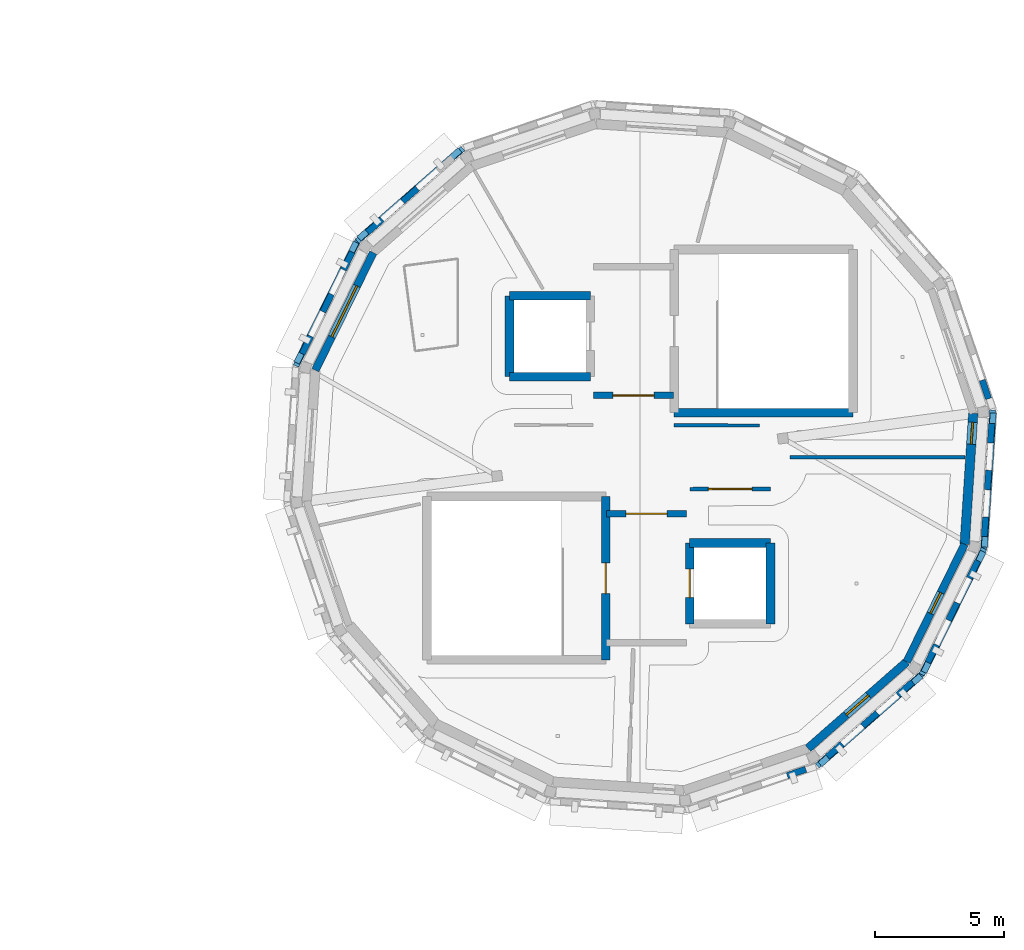
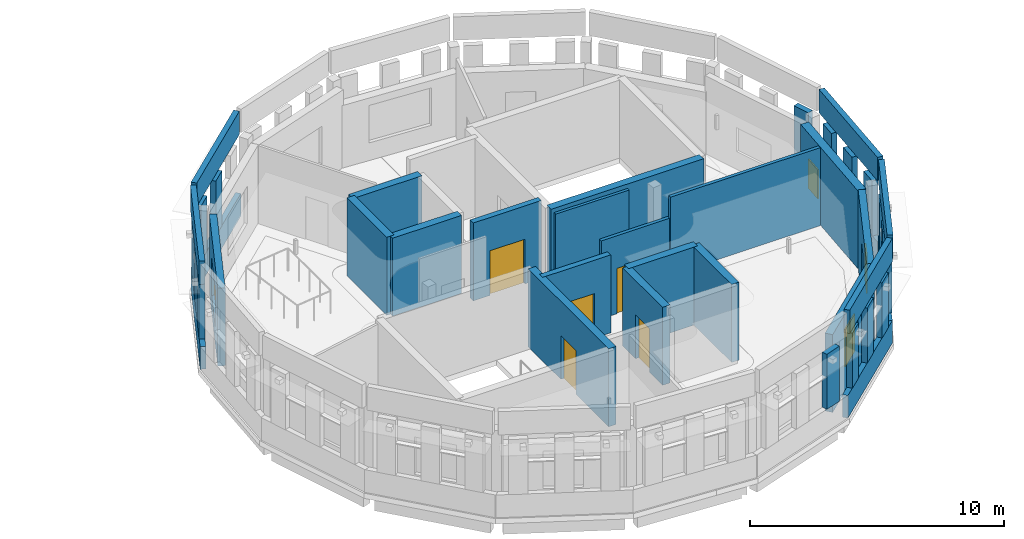
# One storey, part 14 of 18: 43 walls, 5 doors, 4 windows, 9 openings.
"""IFC4 building model written with IfcOpenShell, lengths in metres."""

from ifc_helpers import new_model, si_unit, direction, frame, frame_2d, origin, place, context, subcontext, project, spatial, rectangle, extrude, material, layer, layer_set, type_object, element, fill, save


model = new_model("IFC4")

# Units and contexts
model_context = context("Model", 3, precision=1e-05, world=origin(), true_north=direction((0.0, 1.0)))
body_context = subcontext(model_context, "Body", "Model", "MODEL_VIEW")
ifc_project = project(units=[si_unit("LENGTHUNIT", "METRE"), si_unit("AREAUNIT", "SQUARE_METRE"), si_unit("VOLUMEUNIT", "CUBIC_METRE"), si_unit("PLANEANGLEUNIT", "RADIAN"), si_unit("MASSUNIT", "GRAM", prefix="KILO")], contexts=[model_context])

# Site, building, storey
site_placement = place(None, origin())
site = spatial("IfcSite", under=ifc_project, at=site_placement, CompositionType="ELEMENT")
building_placement = place(site_placement, origin())
building = spatial("IfcBuilding", under=site, at=building_placement, Name="Wrenclough Park School", CompositionType="ELEMENT")
storey_placement = place(building_placement, frame((0.0, 0.0, 20.800048828125)))
storey = spatial("IfcBuildingStorey", under=building, at=storey_placement, Name="L05", CompositionType="ELEMENT", Elevation=20.800048828125)

# Walls
ifc_material_1 = material(Name="Perforated open-bond Staffordshire and Manchester brick screen pier", Category="masonry")
ifc_layer_1 = layer(ifc_material_1, 0.2451171875)
ifc_layer_set_1 = layer_set([ifc_layer_1], Name="Perforated open-bond Staffordshire and Manchester brick screen pier")
wall_type_1 = type_object("IfcWallType", Name="ENV-BS-PR245", PredefinedType="ELEMENTEDWALL", material=ifc_layer_set_1)
wall_1_placement = place(storey_placement, frame((188.039306640625, 95.771728515625, 1.08984375), z_axis=(0.0, 0.0, 1.0), x_axis=(-0.321522655386, 0.946901886192, 0.0)))
element("IfcWall", 1, at=wall_1_placement, inside=storey, type_object=wall_type_1, Name="D5 L05 perforated brick screen pier 1005", PredefinedType="ELEMENTEDWALL", context=body_context, shape_type="SweptSolid", body=[
    extrude(rectangle(XDim=0.760009765625, YDim=0.2451171875, at=frame_2d((0.3798828125, 0.0))), origin(), (0.0, 0.0, 1.0), 2.650146484375),
])
wall_2_placement = place(storey_placement, frame((165.850830078125, 103.938720703125, 1.08984375), z_axis=(0.0, 0.0, 1.0), x_axis=(-0.751859704857, -0.659323125798, 0.0)))
element("IfcWall", 2, at=wall_2_placement, inside=storey, type_object=wall_type_1, Name="D5 L05 perforated brick screen pier 1021", PredefinedType="ELEMENTEDWALL", context=body_context, shape_type="SweptSolid", body=[
    extrude(rectangle(XDim=0.759765625, YDim=0.2451171875, at=frame_2d((0.3798828125, 0.0))), origin(), (0.0, 0.0, 1.0), 2.650146484375),
])
wall_3_placement = place(storey_placement, frame((164.48193359375, 102.73828125, 1.08984375), z_axis=(0.0, 0.0, 1.0), x_axis=(-0.751700438565, -0.659504701015, 0.0)))
element("IfcWall", 3, at=wall_3_placement, inside=storey, type_object=wall_type_1, Name="D5 L05 perforated brick screen pier 1022", PredefinedType="ELEMENTEDWALL", context=body_context, shape_type="SweptSolid", body=[
    extrude(rectangle(XDim=0.760009765625, YDim=0.2451171875, at=frame_2d((0.3798828125, 0.0))), origin(), (0.0, 0.0, 1.0), 2.650146484375),
])
wall_4_placement = place(storey_placement, frame((163.31982421875, 101.46728515625, 1.08984375), z_axis=(0.0, 0.0, 1.0), x_axis=(-0.442451801258, -0.896792285629, 0.0)))
element("IfcWall", 4, at=wall_4_placement, inside=storey, type_object=wall_type_1, Name="D5 L05 perforated brick screen pier 1023", PredefinedType="ELEMENTEDWALL", context=body_context, shape_type="SweptSolid", body=[
    extrude(rectangle(XDim=0.759765625, YDim=0.2451171875, at=frame_2d((0.3798828125, 0.0))), origin(), (0.0, 0.0, 1.0), 2.650146484375),
])
for number, where, z_axis, x_axis, name in (
    (5, (162.514404296875, 99.834228515625, 1.08984375), (0.0, 0.0, 1.0), (-0.442065908805, -0.896982570774, 0.0), "D5 L05 perforated brick screen pier 1024"),
    (6, (161.709228515625, 98.201171875, 1.08984375), (0.0, 0.0, 1.0), (-0.442324339485, -0.896855160379, 0.0), "D5 L05 perforated brick screen pier 1025"),
):
    element("IfcWall", number, at=place(storey_placement, frame(where, z_axis=z_axis, x_axis=x_axis)), inside=storey, type_object=wall_type_1, Name=name, PredefinedType="ELEMENTEDWALL", context=body_context, shape_type="SweptSolid", body=[
        extrude(rectangle(XDim=0.760009765625, YDim=0.2451171875, at=frame_2d((0.3798828125, 0.0))), origin(), (0.0, 0.0, 1.0), 2.650146484375),
    ])
wall_5_placement = place(storey_placement, frame((180.22021484375, 81.131103515625, 1.08984375), z_axis=(0.0, 0.0, 1.0), x_axis=(0.946868666253, 0.321620473335, 0.0)))
element("IfcWall", 7, at=wall_5_placement, inside=storey, type_object=wall_type_1, Name="D5 L05 perforated brick screen pier 1043", PredefinedType="ELEMENTEDWALL", context=body_context, shape_type="SweptSolid", body=[
    extrude(rectangle(XDim=0.759765625, YDim=0.2451171875, at=frame_2d((0.3798828125, 0.0))), origin(), (0.0, 0.0, 1.0), 2.650146484375),
])
wall_6_placement = place(storey_placement, frame((181.780029296875, 81.860595703125, 1.08984375), z_axis=(0.0, 0.0, 1.0), x_axis=(0.751840109951, 0.659345470196, 0.0)))
element("IfcWall", 8, at=wall_6_placement, inside=storey, type_object=wall_type_1, Name="D5 L05 perforated brick screen pier 1044", PredefinedType="ELEMENTEDWALL", context=body_context, shape_type="SweptSolid", body=[
    extrude(rectangle(XDim=0.76025390625, YDim=0.2451171875, at=frame_2d((0.380126953125, 0.0))), origin(), (0.0, 0.0, 1.0), 2.650146484375),
])
wall_7_placement = place(storey_placement, frame((183.149169921875, 83.061279296875, 1.08984375), z_axis=(0.0, 0.0, 1.0), x_axis=(0.751859704857, 0.659323125798, 0.0)))
element("IfcWall", 9, at=wall_7_placement, inside=storey, type_object=wall_type_1, Name="D5 L05 perforated brick screen pier 1045", PredefinedType="ELEMENTEDWALL", context=body_context, shape_type="SweptSolid", body=[
    extrude(rectangle(XDim=0.759765625, YDim=0.2451171875, at=frame_2d((0.3798828125, 0.0))), origin(), (0.0, 0.0, 1.0), 2.650146484375),
])
wall_8_placement = place(storey_placement, frame((184.51806640625, 84.26171875, 1.08984375), z_axis=(0.0, 0.0, 1.0), x_axis=(0.751700438565, 0.659504701015, 0.0)))
element("IfcWall", 10, at=wall_8_placement, inside=storey, type_object=wall_type_1, Name="D5 L05 perforated brick screen pier 1046", PredefinedType="ELEMENTEDWALL", context=body_context, shape_type="SweptSolid", body=[
    extrude(rectangle(XDim=0.760009765625, YDim=0.2451171875, at=frame_2d((0.3798828125, 0.0))), origin(), (0.0, 0.0, 1.0), 2.650146484375),
])
wall_9_placement = place(storey_placement, frame((185.68017578125, 85.53271484375, 1.08984375), z_axis=(0.0, 0.0, 1.0), x_axis=(0.442451801258, 0.896792285629, 0.0)))
element("IfcWall", 11, at=wall_9_placement, inside=storey, type_object=wall_type_1, Name="D5 L05 perforated brick screen pier 1047", PredefinedType="ELEMENTEDWALL", context=body_context, shape_type="SweptSolid", body=[
    extrude(rectangle(XDim=0.759765625, YDim=0.2451171875, at=frame_2d((0.3798828125, 0.0))), origin(), (0.0, 0.0, 1.0), 2.650146484375),
])
for number, where, z_axis, x_axis, name in (
    (12, (186.485595703125, 87.165771484375, 1.08984375), (0.0, 0.0, 1.0), (0.442065908805, 0.896982570774, 0.0), "D5 L05 perforated brick screen pier 1048"),
    (13, (187.290771484375, 88.798828125, 1.08984375), (0.0, 0.0, 1.0), (0.442324339485, 0.896855160379, 0.0), "D5 L05 perforated brick screen pier 1049"),
):
    element("IfcWall", number, at=place(storey_placement, frame(where, z_axis=z_axis, x_axis=x_axis)), inside=storey, type_object=wall_type_1, Name=name, PredefinedType="ELEMENTEDWALL", context=body_context, shape_type="SweptSolid", body=[
        extrude(rectangle(XDim=0.760009765625, YDim=0.2451171875, at=frame_2d((0.3798828125, 0.0))), origin(), (0.0, 0.0, 1.0), 2.650146484375),
    ])
wall_10_placement = place(storey_placement, frame((187.878173828125, 90.41748046875, 1.08984375), z_axis=(0.0, 0.0, 1.0), x_axis=(0.065197327118, 0.997872390908, 0.0)))
element("IfcWall", 14, at=wall_10_placement, inside=storey, type_object=wall_type_1, Name="D5 L05 perforated brick screen pier 1050", PredefinedType="ELEMENTEDWALL", context=body_context, shape_type="SweptSolid", body=[
    extrude(rectangle(XDim=0.76025390625, YDim=0.2451171875, at=frame_2d((0.380126953125, 0.0))), origin(), (0.0, 0.0, 1.0), 2.650146484375),
])
for number, where, z_axis, x_axis, name in (
    (15, (187.997314453125, 92.234619140625, 1.08984375), (0.0, 0.0, 1.0), (0.065218228618, 0.997871025061, 0.0), "D5 L05 perforated brick screen pier 1051"),
    (16, (188.1162109375, 94.051513671875, 1.08984375), (0.0, 0.0, 1.0), (0.065538124105, 0.997850066036, 0.0), "D5 L05 perforated brick screen pier 1052"),
):
    element("IfcWall", number, at=place(storey_placement, frame(where, z_axis=z_axis, x_axis=x_axis)), inside=storey, type_object=wall_type_1, Name=name, PredefinedType="ELEMENTEDWALL", context=body_context, shape_type="SweptSolid", body=[
        extrude(rectangle(XDim=0.760009765625, YDim=0.2451171875, at=frame_2d((0.3798828125, 0.0))), origin(), (0.0, 0.0, 1.0), 2.650146484375),
    ])
ifc_material_2 = material(Name="Open-bond Manchester multi-stock brick spandrel screen", Category="masonry")
ifc_layer_2 = layer(ifc_material_2, 0.22509765625)
ifc_layer_set_2 = layer_set([ifc_layer_2], Name="Open-bond Manchester multi-stock brick spandrel screen")
wall_type_2 = type_object("IfcWallType", Name="ENV-BS-SP225", PredefinedType="ELEMENTEDWALL", material=ifc_layer_set_2)
for number, where, z_axis, x_axis, name in (
    (17, (167.61865234375, 105.489013671875, 0.0), (0.0, 0.0, 1.0), (-0.751850842434, -0.659333231933, 0.0), "D5 L05 open-bond brick screen spandrel 0286"),
    (18, (163.554443359375, 101.943115234375, 0.0), (0.0, 0.0, 1.0), (-0.442290514216, -0.896871842035, 0.0), "D5 L05 open-bond brick screen spandrel 0287"),
    (19, (181.38134765625, 81.510986328125, 0.0), (0.0, 0.0, 1.0), (0.751850842434, 0.659333231933, 0.0), "D5 L05 open-bond brick screen spandrel 0294"),
    (20, (185.445556640625, 85.056884765625, 0.0), (0.0, 0.0, 1.0), (0.442290514216, 0.896871842035, 0.0), "D5 L05 open-bond brick screen spandrel 0295"),
):
    element("IfcWall", number, at=place(storey_placement, frame(where, z_axis=z_axis, x_axis=x_axis)), inside=storey, type_object=wall_type_2, Name=name, PredefinedType="ELEMENTEDWALL", context=body_context, shape_type="SweptSolid", body=[
        extrude(rectangle(XDim=5.46240234375, YDim=0.22509765625, at=frame_2d((2.731201171875, 0.0))), origin(), (0.0, 0.0, 1.0), 1.08984375),
    ])
wall_11_placement = place(storey_placement, frame((187.843505859375, 89.88818359375, 0.0), z_axis=(0.0, 0.0, 1.0), x_axis=(0.065385822726, 0.997860057416, 0.0)))
element("IfcWall", 21, at=wall_11_placement, inside=storey, type_object=wall_type_2, Name="D5 L05 open-bond brick screen spandrel 0296", PredefinedType="ELEMENTEDWALL", context=body_context, shape_type="SweptSolid", body=[
    extrude(rectangle(XDim=5.462646484375, YDim=0.22509765625, at=frame_2d((2.7314453125, 0.0))), origin(), (0.0, 0.0, 1.0), 1.08984375),
])

# Wall, opening, window
ifc_material_3 = material(Name="Manchester multi-stock brick and Concrete C32/40 inner leaf", Category="masonry")
ifc_layer_3 = layer(ifc_material_3, 0.300048828125)
ifc_layer_set_3 = layer_set([ifc_layer_3], Name="Manchester multi-stock brick and Concrete C32/40 inner leaf")
wall_type_3 = type_object("IfcWallType", Name="ENV-EW-300", PredefinedType="SOLIDWALL", material=ifc_layer_set_3)
wall_12_placement = place(storey_placement, frame((187.11279296875, 90.12060546875, 0.0), z_axis=(0.0, 0.0, 1.0), x_axis=(-0.442261861213, -0.896885971635, 0.0)))
wall_12 = element("IfcWall", 22, at=wall_12_placement, inside=storey, type_object=wall_type_3, Name="L05 insulated brick external wall 0392", PredefinedType="SOLIDWALL", context=body_context, shape_type="SweptSolid", body=[
    extrude(rectangle(XDim=5.09521484375, YDim=0.300048828125, at=frame_2d((2.547607421875, 0.0))), origin(), (0.0, 0.0, 1.0), 3.739990234375),
])
opening_1_placement = place(wall_12_placement, frame((2.097412109375, 0.0, 0.85009765625)))
opening_1 = element("IfcOpeningElement", 23, at=opening_1_placement, cuts=wall_12, Name="Opening WN-25", PredefinedType="OPENING", context=body_context, shape_type="SweptSolid", body=[
    extrude(rectangle(XDim=0.89990234375, YDim=1.800048828125, at=frame_2d((0.449951171875, 0.89990234375))), frame((0.0, 0.159912109375, 0.0), z_axis=(0.0, -1.0, 0.0), x_axis=(1.0, 0.0, 0.0)), (0.0, 0.0, 1.0), 0.320068359375),
])
ifc_material_4 = material(Name="Thermally broken aluminium and double-glazed low-e glass", Category="aluminium")
window_type_1 = type_object("IfcWindowType", Name="ENV-WN-25", PartitioningType="SINGLE_PANEL", PredefinedType="WINDOW", material=ifc_material_4)
window_1_placement = place(opening_1_placement, origin())
window_1 = element("IfcWindow", 24, at=window_1_placement, inside=storey, type_object=window_type_1, Name="L05 scheduled facade window 0640", OverallHeight=1.800048828125, OverallWidth=0.89990234375, PartitioningType="SINGLE_PANEL", PredefinedType="WINDOW", context=body_context, shape_type="SweptSolid", body=[
    extrude(rectangle(XDim=0.89990234375, YDim=1.800048828125, at=frame_2d((0.449951171875, 0.89990234375))), frame((0.0, 0.030029296875, 0.0), z_axis=(0.0, -1.0, 0.0), x_axis=(1.0, 0.0, 0.0)), (0.0, 0.0, 1.0), 0.06005859375),
])
fill(opening_1, window_1)

wall_13_placement = place(storey_placement, frame((161.88720703125, 96.87939453125, 0.0), z_axis=(0.0, 0.0, 1.0), x_axis=(0.442261861213, 0.896885971635, 0.0)))
wall_13 = element("IfcWall", 25, at=wall_13_placement, inside=storey, type_object=wall_type_3, Name="L05 insulated brick external wall 0400", PredefinedType="SOLIDWALL", context=body_context, shape_type="SweptSolid", body=[
    extrude(rectangle(XDim=5.09521484375, YDim=0.300048828125, at=frame_2d((2.547607421875, 0.0))), origin(), (0.0, 0.0, 1.0), 3.739990234375),
])
opening_2_placement = place(wall_13_placement, frame((1.447509765625, 0.0, 0.85009765625)))
opening_2 = element("IfcOpeningElement", 26, at=opening_2_placement, cuts=wall_13, Name="Opening WN-33", PredefinedType="OPENING", context=body_context, shape_type="SweptSolid", body=[
    extrude(rectangle(XDim=2.199951171875, YDim=1.800048828125, at=frame_2d((1.10009765625, 0.89990234375))), frame((0.0, 0.159912109375, 0.0), z_axis=(0.0, -1.0, 0.0), x_axis=(1.0, 0.0, 0.0)), (0.0, 0.0, 1.0), 0.320068359375),
])
window_type_2 = type_object("IfcWindowType", Name="ENV-WN-33", PartitioningType="DOUBLE_PANEL_VERTICAL", PredefinedType="WINDOW", material=ifc_material_4)
window_2_placement = place(opening_2_placement, origin())
window_2 = element("IfcWindow", 27, at=window_2_placement, inside=storey, type_object=window_type_2, Name="L05 scheduled facade window 0648", OverallHeight=1.800048828125, OverallWidth=2.199951171875, PartitioningType="SINGLE_PANEL", PredefinedType="WINDOW", context=body_context, shape_type="SweptSolid", body=[
    extrude(rectangle(XDim=2.199951171875, YDim=1.800048828125, at=frame_2d((1.10009765625, 0.89990234375))), frame((0.0, 0.030029296875, 0.0), z_axis=(0.0, -1.0, 0.0), x_axis=(1.0, 0.0, 0.0)), (0.0, 0.0, 1.0), 0.06005859375),
])
fill(opening_2, window_2)

ifc_layer_4 = layer(ifc_material_3, 0.324951171875)
ifc_layer_set_4 = layer_set([ifc_layer_4], Name="Manchester multi-stock brick and Concrete C32/40 inner leaf")
wall_type_4 = type_object("IfcWallType", Name="ENV-EW-325", PredefinedType="SOLIDWALL", material=ifc_layer_set_4)
wall_14_placement = place(storey_placement, frame((184.859375, 85.55078125, 0.0), z_axis=(0.0, 0.0, 1.0), x_axis=(-0.751857877577, -0.659325209533, 0.0)))
wall_14 = element("IfcWall", 28, at=wall_14_placement, inside=storey, type_object=wall_type_4, Name="L05 insulated brick external wall 0393", PredefinedType="SOLIDWALL", context=body_context, shape_type="SweptSolid", body=[
    extrude(rectangle(XDim=5.0947265625, YDim=0.324951171875, at=frame_2d((2.54736328125, 0.0))), origin(), (0.0, 0.0, 1.0), 3.739990234375),
])
opening_3_placement = place(wall_14_placement, frame((1.972412109375, 0.0, 0.85009765625)))
opening_3 = element("IfcOpeningElement", 29, at=opening_3_placement, cuts=wall_14, Name="Opening WN-26", PredefinedType="OPENING", context=body_context, shape_type="SweptSolid", body=[
    extrude(rectangle(XDim=1.14990234375, YDim=1.800048828125, at=frame_2d((0.574951171875, 0.89990234375))), frame((0.0, 0.17236328125, 0.0), z_axis=(0.0, -1.0, 0.0), x_axis=(1.0, 0.0, 0.0)), (0.0, 0.0, 1.0), 0.344970703125),
])
window_type_3 = type_object("IfcWindowType", Name="ENV-WN-26", PartitioningType="SINGLE_PANEL", PredefinedType="WINDOW", material=ifc_material_4)
window_3_placement = place(opening_3_placement, origin())
window_3 = element("IfcWindow", 30, at=window_3_placement, inside=storey, type_object=window_type_3, Name="L05 scheduled facade window 0641", OverallHeight=1.800048828125, OverallWidth=1.14990234375, PartitioningType="SINGLE_PANEL", PredefinedType="WINDOW", context=body_context, shape_type="SweptSolid", body=[
    extrude(rectangle(XDim=1.14990234375, YDim=1.800048828125, at=frame_2d((0.574951171875, 0.89990234375))), frame((0.0, 0.030029296875, 0.0), z_axis=(0.0, -1.0, 0.0), x_axis=(1.0, 0.0, 0.0)), (0.0, 0.0, 1.0), 0.06005859375),
])
fill(opening_3, window_3)

ifc_material_5 = material(Name="Faceted courtyard brick-cavity wall Concrete C35/45", Category="masonry")
ifc_layer_5 = layer(ifc_material_5, 0.364990234375)
ifc_layer_set_5 = layer_set([ifc_layer_5], Name="Faceted courtyard brick-cavity wall Concrete C35/45")
wall_type_5 = type_object("IfcWallType", Name="ENV-EW-365", PredefinedType="SOLIDWALL", material=ifc_layer_set_5)
wall_15_placement = place(storey_placement, frame((187.44580078125, 95.204345703125, 0.0), z_axis=(0.0, 0.0, 1.0), x_axis=(-0.065364406289, -0.99786146052, 0.0)))
wall_15 = element("IfcWall", 31, at=wall_15_placement, inside=storey, type_object=wall_type_5, Name="L05 insulated brick external wall 0391", PredefinedType="SOLIDWALL", context=body_context, shape_type="SweptSolid", body=[
    extrude(rectangle(XDim=5.0947265625, YDim=0.364990234375, at=frame_2d((2.54736328125, 0.0))), origin(), (0.0, 0.0, 1.0), 3.739990234375),
])
opening_4_placement = place(wall_15_placement, frame((0.35009765625, 0.0, 0.85009765625)))
opening_4 = element("IfcOpeningElement", 32, at=opening_4_placement, cuts=wall_15, Name="Opening WN-01", PredefinedType="OPENING", context=body_context, shape_type="SweptSolid", body=[
    extrude(rectangle(XDim=0.85009765625, YDim=1.39990234375, at=frame_2d((0.425048828125, 0.699951171875))), frame((0.0, 0.1923828125, 0.0), z_axis=(0.0, -1.0, 0.0), x_axis=(1.0, 0.0, 0.0)), (0.0, 0.0, 1.0), 0.385009765625),
])
window_type_4 = type_object("IfcWindowType", Name="ENV-WN-01", PartitioningType="SINGLE_PANEL", PredefinedType="WINDOW", material=ifc_material_4)
window_4_placement = place(opening_4_placement, origin())
window_4 = element("IfcWindow", 33, at=window_4_placement, inside=storey, type_object=window_type_4, Name="L05 scheduled facade window 0639", OverallHeight=1.39990234375, OverallWidth=0.85009765625, PartitioningType="SINGLE_PANEL", PredefinedType="WINDOW", context=body_context, shape_type="SweptSolid", body=[
    extrude(rectangle(XDim=0.85009765625, YDim=1.39990234375, at=frame_2d((0.425048828125, 0.699951171875))), frame((0.0, 0.030029296875, 0.0), z_axis=(0.0, -1.0, 0.0), x_axis=(1.0, 0.0, 0.0)), (0.0, 0.0, 1.0), 0.06005859375),
])
fill(opening_4, window_4)

# Walls
ifc_material_6 = material(Name="Capped Manchester multi-stock brick parapet", Category="masonry")
ifc_layer_6 = layer(ifc_material_6, 0.239990234375)
ifc_layer_set_6 = layer_set([ifc_layer_6], Name="Capped Manchester multi-stock brick parapet")
wall_type_6 = type_object("IfcWallType", Name="ENV-PW-240", PredefinedType="PARAPET", material=ifc_layer_set_6)
wall_16_placement = place(storey_placement, frame((167.5087890625, 105.4326171875, 4.0), z_axis=(0.0, 0.0, 1.0), x_axis=(-0.751826191912, -0.659361340355, 0.0)))
element("IfcWall", 34, at=wall_16_placement, inside=storey, type_object=wall_type_6, Name="D5-ROOF cylindrical drum parapet wall 101", PredefinedType="PARAPET", context=body_context, shape_type="SweptSolid", body=[
    extrude(rectangle(XDim=5.22265625, YDim=0.239990234375, at=frame_2d((2.611328125, 0.0))), origin(), (0.0, 0.0, 1.0), 1.119873046875),
])
wall_17_placement = place(storey_placement, frame((163.474609375, 101.8486328125, 4.0), z_axis=(0.0, 0.0, 1.0), x_axis=(-0.442326480827, -0.896854104277, 0.0)))
element("IfcWall", 35, at=wall_17_placement, inside=storey, type_object=wall_type_6, Name="D5-ROOF cylindrical drum parapet wall 102", PredefinedType="PARAPET", context=body_context, shape_type="SweptSolid", body=[
    extrude(rectangle(XDim=5.222412109375, YDim=0.239990234375, at=frame_2d((2.611328125, 0.0))), origin(), (0.0, 0.0, 1.0), 1.119873046875),
])
wall_18_placement = place(storey_placement, frame((181.4912109375, 81.5673828125, 4.0), z_axis=(0.0, 0.0, 1.0), x_axis=(0.751826191912, 0.659361340355, 0.0)))
element("IfcWall", 36, at=wall_18_placement, inside=storey, type_object=wall_type_6, Name="D5-ROOF cylindrical drum parapet wall 109", PredefinedType="PARAPET", context=body_context, shape_type="SweptSolid", body=[
    extrude(rectangle(XDim=5.22265625, YDim=0.239990234375, at=frame_2d((2.611328125, 0.0))), origin(), (0.0, 0.0, 1.0), 1.119873046875),
])
wall_19_placement = place(storey_placement, frame((185.525390625, 85.1513671875, 4.0), z_axis=(0.0, 0.0, 1.0), x_axis=(0.442326480827, 0.896854104277, 0.0)))
element("IfcWall", 37, at=wall_19_placement, inside=storey, type_object=wall_type_6, Name="D5-ROOF cylindrical drum parapet wall 110", PredefinedType="PARAPET", context=body_context, shape_type="SweptSolid", body=[
    extrude(rectangle(XDim=5.222412109375, YDim=0.239990234375, at=frame_2d((2.611328125, 0.0))), origin(), (0.0, 0.0, 1.0), 1.119873046875),
])
wall_20_placement = place(storey_placement, frame((187.881103515625, 90.006103515625, 4.0), z_axis=(0.0, 0.0, 1.0), x_axis=(0.065398904758, 0.997859200116, 0.0)))
element("IfcWall", 38, at=wall_20_placement, inside=storey, type_object=wall_type_6, Name="D5-ROOF cylindrical drum parapet wall 111", PredefinedType="PARAPET", context=body_context, shape_type="SweptSolid", body=[
    extrude(rectangle(XDim=5.22265625, YDim=0.239990234375, at=frame_2d((2.611328125, 0.0))), origin(), (0.0, 0.0, 1.0), 1.119873046875),
])

# Wall, opening, door
ifc_material_7 = material(Name="Concrete C35/45", Category="concrete")
ifc_layer_7 = layer(ifc_material_7, 0.25)
ifc_layer_set_7 = layer_set([ifc_layer_7], Name="Concrete C35/45")
wall_type_7 = type_object("IfcWallType", Name="INT-CW-250", PredefinedType="SHEAR", material=ifc_layer_set_7)
wall_21_placement = place(storey_placement, frame((176.300048828125, 91.300048828125, 0.0), z_axis=(0.0, 0.0, 1.0), x_axis=(-1.0, 0.0, 0.0)))
wall_21 = element("IfcWall", 39, at=wall_21_placement, inside=storey, type_object=wall_type_7, Name="Core C5 L05 lobby fire wall north", PredefinedType="SHEAR", context=body_context, shape_type="SweptSolid", body=[
    extrude(rectangle(XDim=3.10009765625, YDim=0.25, at=frame_2d((1.550048828125, 0.0))), origin(), (0.0, 0.0, 1.0), 3.75),
])
opening_5_placement = place(wall_21_placement, frame((0.75, 0.0, 0.0)))
opening_5 = element("IfcOpeningElement", 40, at=opening_5_placement, cuts=wall_21, Name="Opening DLB-C5-L05", PredefinedType="OPENING", context=body_context, shape_type="SweptSolid", body=[
    extrude(rectangle(XDim=1.60009765625, YDim=2.14990234375, at=frame_2d((0.800048828125, 1.074951171875))), frame((0.0, 0.135009765625, 0.0), z_axis=(0.0, -1.0, 0.0), x_axis=(1.0, 0.0, 0.0)), (0.0, 0.0, 1.0), 0.27001953125),
])
ifc_material_8 = material(Name="Double-leaf firefighting lobby door assembly", Category="wood")
door_type_1 = type_object("IfcDoorType", Name="INT-DR-FF160", OperationType="NOTDEFINED", PredefinedType="DOOR", material=ifc_material_8)
door_1_placement = place(opening_5_placement, origin())
door_1 = element("IfcDoor", 41, at=door_1_placement, inside=storey, type_object=door_type_1, Name="Core C5 L05 protected lobby fire door", OperationType="DOUBLE_DOOR_SINGLE_SWING", OverallHeight=2.14990234375, OverallWidth=1.60009765625, PredefinedType="DOOR", context=body_context, shape_type="SweptSolid", body=[
    extrude(rectangle(XDim=1.60009765625, YDim=2.14990234375, at=frame_2d((0.800048828125, 1.074951171875))), frame((0.0, 0.02490234375, 0.0), z_axis=(0.0, -1.0, 0.0), x_axis=(1.0, 0.0, 0.0)), (0.0, 0.0, 1.0), 0.050048828125),
])
fill(opening_5, door_1)

wall_22_placement = place(storey_placement, frame((172.699951171875, 95.89990234375, 0.0), z_axis=(0.0, 0.0, 1.0), x_axis=(1.0, 0.0, 0.0)))
wall_22 = element("IfcWall", 42, at=wall_22_placement, inside=storey, type_object=wall_type_7, Name="Core C6 L05 lobby fire wall south", PredefinedType="SHEAR", context=body_context, shape_type="SweptSolid", body=[
    extrude(rectangle(XDim=3.10009765625, YDim=0.25, at=frame_2d((1.550048828125, 0.0))), origin(), (0.0, 0.0, 1.0), 3.75),
])
opening_6_placement = place(wall_22_placement, frame((0.75, 0.0, 0.0)))
opening_6 = element("IfcOpeningElement", 43, at=opening_6_placement, cuts=wall_22, Name="Opening DLB-C6-L05", PredefinedType="OPENING", context=body_context, shape_type="SweptSolid", body=[
    extrude(rectangle(XDim=1.60009765625, YDim=2.14990234375, at=frame_2d((0.800048828125, 1.074951171875))), frame((0.0, 0.135009765625, 0.0), z_axis=(0.0, -1.0, 0.0), x_axis=(1.0, 0.0, 0.0)), (0.0, 0.0, 1.0), 0.27001953125),
])
door_2_placement = place(opening_6_placement, origin())
door_2 = element("IfcDoor", 44, at=door_2_placement, inside=storey, type_object=door_type_1, Name="Core C6 L05 protected lobby fire door", OperationType="DOUBLE_DOOR_SINGLE_SWING", OverallHeight=2.14990234375, OverallWidth=1.60009765625, PredefinedType="DOOR", context=body_context, shape_type="SweptSolid", body=[
    extrude(rectangle(XDim=1.60009765625, YDim=2.14990234375, at=frame_2d((0.800048828125, 1.074951171875))), frame((0.0, 0.02490234375, 0.0), z_axis=(0.0, -1.0, 0.0), x_axis=(1.0, 0.0, 0.0)), (0.0, 0.0, 1.0), 0.050048828125),
])
fill(opening_6, door_2)

ifc_material_9 = material(Name="Concrete C40/50", Category="concrete")
ifc_layer_8 = layer(ifc_material_9, 0.340087890625)
ifc_layer_set_8 = layer_set([ifc_layer_8], Name="Concrete C40/50")
wall_type_8 = type_object("IfcWallType", Name="INT-CW-340", PredefinedType="SHEAR", material=ifc_layer_set_8)
wall_23_placement = place(storey_placement, frame((173.169921875, 85.6298828125, 0.0), z_axis=(0.0, 0.0, 1.0), x_axis=(0.0, 1.0, 0.0)))
wall_23 = element("IfcWall", 45, at=wall_23_placement, inside=storey, type_object=wall_type_8, Name="Core C5 L05 east shear wall", PredefinedType="SHEAR", context=body_context, shape_type="SweptSolid", body=[
    extrude(rectangle(XDim=6.340087890625, YDim=0.340087890625, at=frame_2d((3.169921875, 0.0))), origin(), (0.0, 0.0, 1.0), 3.75),
])
opening_7_placement = place(wall_23_placement, frame((2.570068359375, 0.0, 0.0)))
opening_7 = element("IfcOpeningElement", 46, at=opening_7_placement, cuts=wall_23, Name="Opening DST-C5-L05", PredefinedType="OPENING", context=body_context, shape_type="SweptSolid", body=[
    extrude(rectangle(XDim=1.199951171875, YDim=2.10009765625, at=frame_2d((0.60009765625, 1.050048828125))), frame((0.0, 0.179931640625, 0.0), z_axis=(0.0, -1.0, 0.0), x_axis=(1.0, 0.0, 0.0)), (0.0, 0.0, 1.0), 0.360107421875),
])
ifc_material_10 = material(Name="Solid-core hardwood firefighting stair door assembly", Category="wood")
door_type_2 = type_object("IfcDoorType", Name="INT-DR-FF120", OperationType="NOTDEFINED", PredefinedType="DOOR", material=ifc_material_10)
door_3_placement = place(opening_7_placement, origin())
door_3 = element("IfcDoor", 47, at=door_3_placement, inside=storey, type_object=door_type_2, Name="Stair ST-05 L05 fire door", OperationType="SINGLE_SWING_RIGHT", OverallHeight=2.10009765625, OverallWidth=1.199951171875, PredefinedType="DOOR", context=body_context, shape_type="SweptSolid", body=[
    extrude(rectangle(XDim=1.199951171875, YDim=2.10009765625, at=frame_2d((0.60009765625, 1.050048828125))), frame((0.0, 0.02490234375, 0.0), z_axis=(0.0, -1.0, 0.0), x_axis=(1.0, 0.0, 0.0)), (0.0, 0.0, 1.0), 0.050048828125),
])
fill(opening_7, door_3)

# Walls
wall_24_placement = place(storey_placement, frame((179.570068359375, 87.030029296875, 0.0), z_axis=(0.0, 0.0, 1.0), x_axis=(0.0, 1.0, 0.0)))
element("IfcWall", 48, at=wall_24_placement, inside=storey, type_object=wall_type_8, Name="Lift LFT-01 L05 east shaft wall", PredefinedType="SHEAR", context=body_context, shape_type="SweptSolid", body=[
    extrude(rectangle(XDim=3.139892578125, YDim=0.340087890625, at=frame_2d((1.56982421875, 0.0))), origin(), (0.0, 0.0, 1.0), 3.75),
])
wall_25_placement = place(storey_placement, frame((179.570068359375, 90.169921875, 0.0), z_axis=(0.0, 0.0, 1.0), x_axis=(-1.0, 0.0, 0.0)))
element("IfcWall", 49, at=wall_25_placement, inside=storey, type_object=wall_type_8, Name="Lift LFT-01 L05 north shaft wall", PredefinedType="SHEAR", context=body_context, shape_type="SweptSolid", body=[
    extrude(rectangle(XDim=3.14013671875, YDim=0.340087890625, at=frame_2d((1.570068359375, 0.0))), origin(), (0.0, 0.0, 1.0), 3.75),
])

# Wall, opening, door
wall_26_placement = place(storey_placement, frame((176.429931640625, 90.169921875, 0.0), z_axis=(0.0, 0.0, 1.0), x_axis=(0.0, -1.0, 0.0)))
wall_26 = element("IfcWall", 50, at=wall_26_placement, inside=storey, type_object=wall_type_8, Name="Lift LFT-01 L05 west shaft wall", PredefinedType="SHEAR", context=body_context, shape_type="SweptSolid", body=[
    extrude(rectangle(XDim=3.139892578125, YDim=0.340087890625, at=frame_2d((1.56982421875, 0.0))), origin(), (0.0, 0.0, 1.0), 3.75),
])
opening_8_placement = place(wall_26_placement, frame((1.02001953125, 0.0, 0.0)))
opening_8 = element("IfcOpeningElement", 51, at=opening_8_placement, cuts=wall_26, Name="Opening LD-01-L05", PredefinedType="OPENING", context=body_context, shape_type="SweptSolid", body=[
    extrude(rectangle(XDim=1.10009765625, YDim=2.10009765625, at=frame_2d((0.550048828125, 1.050048828125))), frame((0.0, 0.179931640625, 0.0), z_axis=(0.0, -1.0, 0.0), x_axis=(1.0, 0.0, 0.0)), (0.0, 0.0, 1.0), 0.360107421875),
])
ifc_material_11 = material(Name="Brushed stainless steel", Category="steel")
door_type_3 = type_object("IfcDoorType", Name="INT-DR-LD110", OperationType="NOTDEFINED", PredefinedType="DOOR", material=ifc_material_11)
door_4_placement = place(opening_8_placement, frame((1.10009765625, 0.0, 0.0), z_axis=(0.0, 0.0, 1.0), x_axis=(-1.0, 0.0, 0.0)))
door_4 = element("IfcDoor", 52, at=door_4_placement, inside=storey, type_object=door_type_3, Name="Lift LFT-01 L05 sliding landing door", OperationType="DOUBLE_DOOR_SLIDING", OverallHeight=2.10009765625, OverallWidth=1.10009765625, PredefinedType="DOOR", context=body_context, shape_type="SweptSolid", body=[
    extrude(rectangle(XDim=1.10009765625, YDim=2.10009765625, at=frame_2d((0.550048828125, 1.050048828125))), frame((0.0, 0.02490234375, 0.0), z_axis=(0.0, -1.0, 0.0), x_axis=(1.0, 0.0, 0.0)), (0.0, 0.0, 1.0), 0.050048828125),
])
fill(opening_8, door_4)

# Walls
wall_27_placement = place(storey_placement, frame((175.830078125, 95.22998046875, 0.0), z_axis=(0.0, 0.0, 1.0), x_axis=(1.0, 0.0, 0.0)))
element("IfcWall", 53, at=wall_27_placement, inside=storey, type_object=wall_type_8, Name="Core C6 L05 south shear wall", PredefinedType="SHEAR", context=body_context, shape_type="SweptSolid", body=[
    extrude(rectangle(XDim=6.93994140625, YDim=0.340087890625, at=frame_2d((3.469970703125, 0.0))), origin(), (0.0, 0.0, 1.0), 3.75),
])
for number, where, z_axis, x_axis, name in (
    (54, (169.429931640625, 96.6298828125, 0.0), (0.0, 0.0, 1.0), (1.0, 0.0, 0.0), "Lift LFT-02 L05 south shaft wall"),
    (55, (172.570068359375, 99.77001953125, 0.0), (0.0, 0.0, 1.0), (-1.0, 0.0, 0.0), "Lift LFT-02 L05 north shaft wall"),
    (56, (169.429931640625, 99.77001953125, 0.0), (0.0, 0.0, 1.0), (0.0, -1.0, 0.0), "Lift LFT-02 L05 west shaft wall"),
):
    element("IfcWall", number, at=place(storey_placement, frame(where, z_axis=z_axis, x_axis=x_axis)), inside=storey, type_object=wall_type_8, Name=name, PredefinedType="SHEAR", context=body_context, shape_type="SweptSolid", body=[
        extrude(rectangle(XDim=3.14013671875, YDim=0.340087890625, at=frame_2d((1.570068359375, 0.0))), origin(), (0.0, 0.0, 1.0), 3.75),
    ])
ifc_material_12 = material(Name="Standard fire-rated room partition", Category="gypsum")
ifc_layer_9 = layer(ifc_material_12, 0.1298828125)
ifc_layer_set_9 = layer_set([ifc_layer_9], Name="Standard fire-rated room partition")
wall_type_9 = type_object("IfcWallType", Name="INT-PW-130", PredefinedType="PARTITIONING", material=ifc_layer_set_9)
wall_28_placement = place(storey_placement, frame((175.818603515625, 94.745361328125, 0.0), z_axis=(0.0, 0.0, 1.0), x_axis=(0.999988652351, -0.004763944767, 0.0)))
element("IfcWall", 57, at=wall_28_placement, inside=storey, type_object=wall_type_9, Name="L05 internal partition 0519", PredefinedType="PARTITIONING", context=body_context, shape_type="SweptSolid", body=[
    extrude(rectangle(XDim=3.3310546875, YDim=0.1298828125, at=frame_2d((1.66552734375, 0.0))), origin(), (0.0, 0.0, 1.0), 3.75),
])
ifc_material_13 = material(Name="Protected corridor partition", Category="gypsum")
ifc_layer_10 = layer(ifc_material_13, 0.14990234375)
ifc_layer_set_10 = layer_set([ifc_layer_10], Name="Protected corridor partition")
wall_type_10 = type_object("IfcWallType", Name="INT-PW-150", PredefinedType="PARTITIONING", material=ifc_layer_set_10)
wall_29_placement = place(storey_placement, frame((187.126220703125, 93.5, 0.0), z_axis=(0.0, 0.0, 1.0), x_axis=(-1.0, 0.0, 0.0)))
element("IfcWall", 58, at=wall_29_placement, inside=storey, type_object=wall_type_10, Name="L05 internal partition 0516", PredefinedType="PARTITIONING", context=body_context, shape_type="SweptSolid", body=[
    extrude(rectangle(XDim=6.808837890625, YDim=0.14990234375, at=frame_2d((3.404296875, 0.0))), origin(), (0.0, 0.0, 1.0), 3.75),
])

# Wall, opening, door
wall_30_placement = place(storey_placement, frame((179.560302734375, 92.2705078125, 0.0), z_axis=(0.0, 0.0, 1.0), x_axis=(-0.999992005113, -0.003998713522, 0.0)))
wall_30 = element("IfcWall", 59, at=wall_30_placement, inside=storey, type_object=wall_type_10, Name="L05 internal partition 0517", PredefinedType="PARTITIONING", context=body_context, shape_type="SweptSolid", body=[
    extrude(rectangle(XDim=3.11376953125, YDim=0.14990234375, at=frame_2d((1.556884765625, 0.0))), origin(), (0.0, 0.0, 1.0), 3.75),
])
opening_9_placement = place(wall_30_placement, frame((0.706787109375, 0.0, 0.0)))
opening_9 = element("IfcOpeningElement", 60, at=opening_9_placement, cuts=wall_30, Name="Opening DR-L05-115", PredefinedType="OPENING", context=body_context, shape_type="SweptSolid", body=[
    extrude(rectangle(XDim=1.699951171875, YDim=2.179931640625, at=frame_2d((0.85009765625, 1.08984375))), frame((0.0, 0.0849609375, 0.0), z_axis=(0.0, -1.0, 0.0), x_axis=(1.0, 0.0, 0.0)), (0.0, 0.0, 1.0), 0.169921875),
])
ifc_material_14 = material(Name="Library reading room double vision door assembly", Category="wood")
door_type_4 = type_object("IfcDoorType", Name="INT-DR-LIB170", OperationType="NOTDEFINED", PredefinedType="DOOR", material=ifc_material_14)
door_5_placement = place(opening_9_placement, frame((1.699951171875, 0.0, 0.0), z_axis=(0.0, 0.0, 1.0), x_axis=(-1.0, 0.0, 0.0)))
door_5 = element("IfcDoor", 61, at=door_5_placement, inside=storey, type_object=door_type_4, Name="Sixth Form Silent Study Hall door DR-L05-115", OperationType="DOUBLE_DOOR_SINGLE_SWING", OverallHeight=2.179931640625, OverallWidth=1.699951171875, PredefinedType="DOOR", context=body_context, shape_type="SweptSolid", body=[
    extrude(rectangle(XDim=1.699951171875, YDim=2.179931640625, at=frame_2d((0.85009765625, 1.08984375))), frame((0.0, 0.02490234375, 0.0), z_axis=(0.0, -1.0, 0.0), x_axis=(1.0, 0.0, 0.0)), (0.0, 0.0, 1.0), 0.050048828125),
])
fill(opening_9, door_5)

save(model, "model.ifc")
